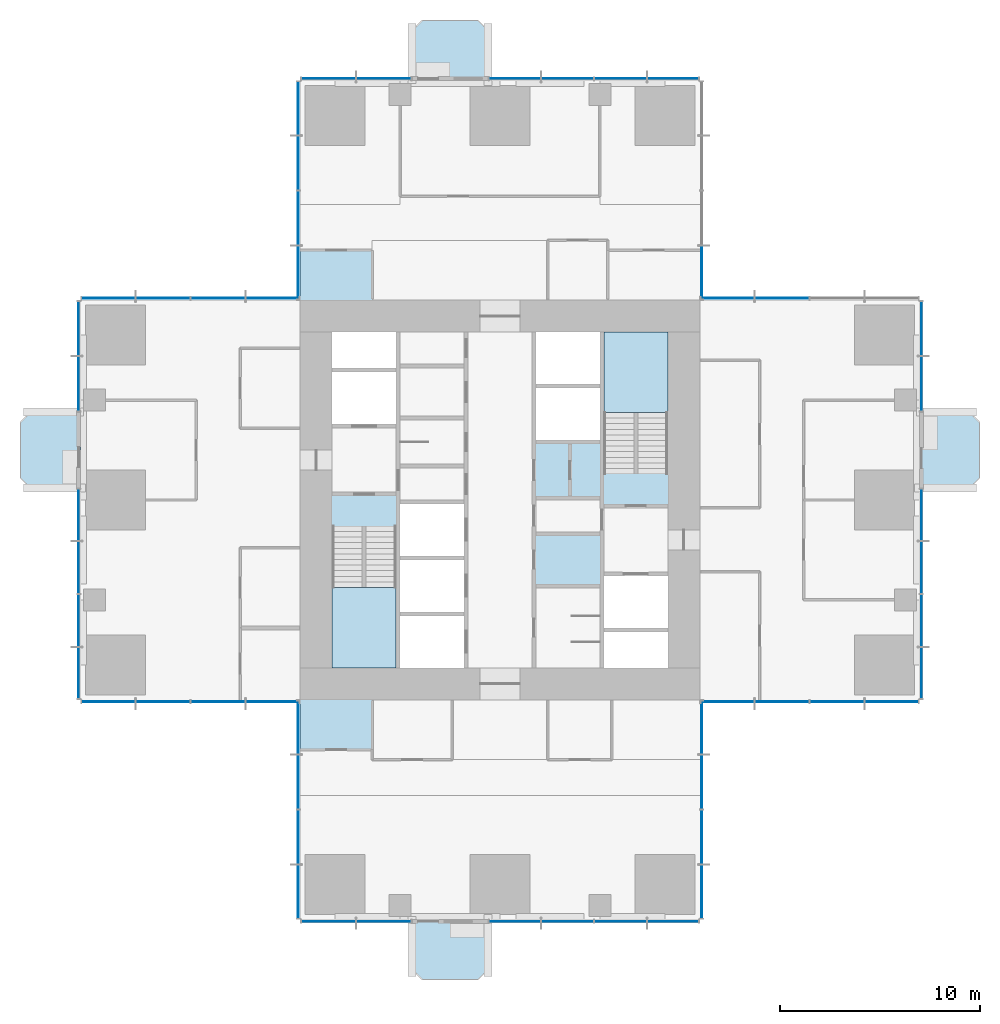
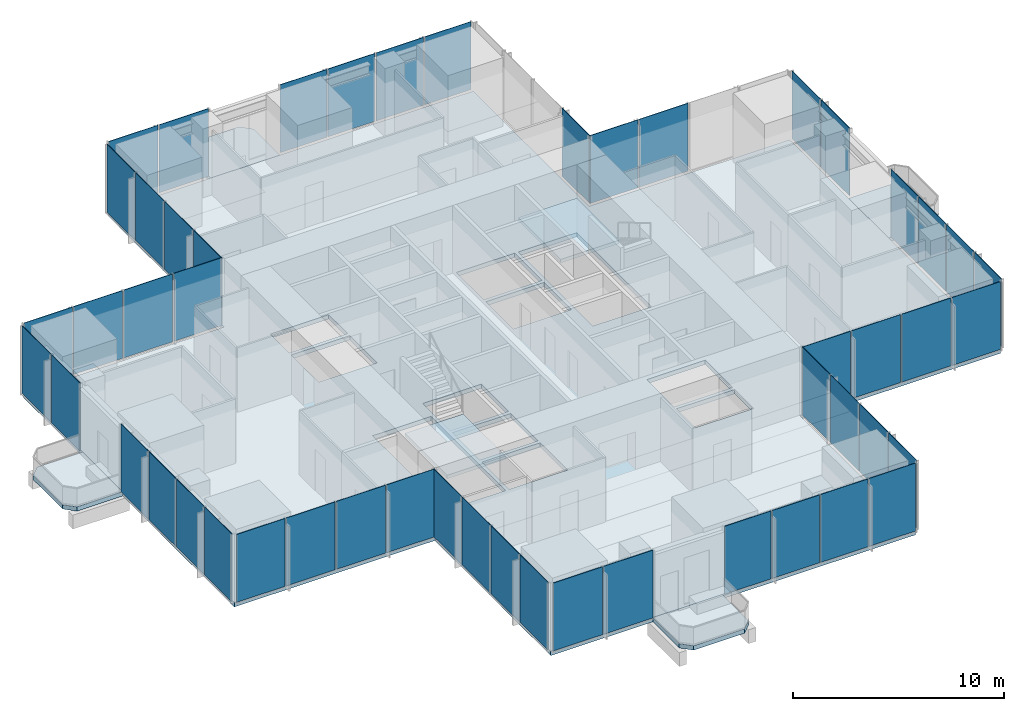
# One storey, part 7 of 13: 51 plates, 7 slabs, 18 elements without a shape of their own.
"""IFC4 building model written with IfcOpenShell, lengths in metres."""

from ifc_helpers import new_model, si_unit, direction, frame, origin, origin_2d, place, context, subcontext, project, spatial, polyline, rectangle, outline, extrude, material, layer, layer_set, type_object, element, aggregate, save


model = new_model("IFC4")

# Units and contexts
model_context = context("Model", 3, precision=1e-05, world=origin(), true_north=direction((0.0, 1.0)))
body_context = subcontext(model_context, "Body", "Model", "MODEL_VIEW")
ifc_project = project(units=[si_unit("LENGTHUNIT", "METRE"), si_unit("AREAUNIT", "SQUARE_METRE"), si_unit("VOLUMEUNIT", "CUBIC_METRE"), si_unit("PLANEANGLEUNIT", "RADIAN"), si_unit("MASSUNIT", "GRAM", prefix="KILO")], contexts=[model_context])

# Site, building, storey
site_placement = place(None, origin())
site = spatial("IfcSite", under=ifc_project, at=site_placement, CompositionType="ELEMENT")
building_placement = place(site_placement, origin())
building = spatial("IfcBuilding", under=site, at=building_placement, Name="Svetlomir Tower", CompositionType="ELEMENT")
storey_placement = place(building_placement, frame((0.0, 0.0, 140.5)))
storey = spatial("IfcBuildingStorey", under=building, at=storey_placement, Name="L33", CompositionType="ELEMENT", Elevation=140.5)

# Slabs
ifc_material_1 = material(Name="Concrete C60/75", Category="concrete")
ifc_layer_1 = layer(ifc_material_1, 0.25)
ifc_layer_set_1 = layer_set([ifc_layer_1], Name="Concrete C60/75")
slab_type_1 = type_object("IfcSlabType", Name="BALCONY SLAB 250", PredefinedType="FLOOR", material=ifc_layer_set_1)
slab_1_placement = place(storey_placement, frame((0.0, 0.0, -0.25)))
element("IfcSlab", 1, at=slab_1_placement, inside=storey, type_object=slab_type_1, Name="L33 S planted balcony", PredefinedType="FLOOR", context=body_context, shape_type="SweptSolid", body=[
    extrude(outline(polyline([(16.60009765625, -2.5), (17.10009765625, -3.0), (19.89990234375, -3.0), (20.39990234375, -2.5), (20.39990234375, 0.0), (16.60009765625, 0.0), (16.60009765625, -2.5)])), origin(), (0.0, 0.0, 1.0), 0.25),
])
slab_2_placement = place(storey_placement, frame((0.0, 0.0, -0.25)))
element("IfcSlab", 2, at=slab_2_placement, inside=storey, type_object=slab_type_1, Name="L33 E planted balcony", PredefinedType="FLOOR", context=body_context, shape_type="SweptSolid", body=[
    extrude(outline(polyline([(42.0, 21.60009765625), (44.5, 21.60009765625), (45.0, 22.10009765625), (45.0, 24.89990234375), (44.5, 25.39990234375), (42.0, 25.39990234375), (42.0, 21.60009765625)])), origin(), (0.0, 0.0, 1.0), 0.25),
])
slab_3_placement = place(storey_placement, frame((0.0, 0.0, -0.25)))
element("IfcSlab", 3, at=slab_3_placement, inside=storey, type_object=slab_type_1, Name="L33 N planted balcony", PredefinedType="FLOOR", context=body_context, shape_type="SweptSolid", body=[
    extrude(outline(polyline([(16.60009765625, 42.0), (20.39990234375, 42.0), (20.39990234375, 44.5), (19.89990234375, 45.0), (17.10009765625, 45.0), (16.60009765625, 44.5), (16.60009765625, 42.0)])), origin(), (0.0, 0.0, 1.0), 0.25),
])
slab_4_placement = place(storey_placement, frame((0.0, 0.0, -0.25)))
element("IfcSlab", 4, at=slab_4_placement, inside=storey, type_object=slab_type_1, Name="L33 W planted balcony", PredefinedType="FLOOR", context=body_context, shape_type="SweptSolid", body=[
    extrude(outline(polyline([(-2.5, 21.60009765625), (0.0, 21.60009765625), (0.0, 25.39990234375), (-2.5, 25.39990234375), (-3.0, 24.89990234375), (-3.0, 22.10009765625), (-2.5, 21.60009765625)])), origin(), (0.0, 0.0, 1.0), 0.25),
])

# Curtain wall, plates
ifc_material_2 = material(Name="Bronze anodised aluminium curtain wall", Category="aluminium")
curtain_wall_type = type_object("IfcCurtainWallType", Name="CURTAIN WALL CW1 TOWER OFFICE", PredefinedType="NOTDEFINED", material=ifc_material_2)
curtain_wall_1_placement = place(storey_placement, origin())
curtain_wall_1 = element("IfcCurtainWall", 5, at=curtain_wall_1_placement, inside=storey, type_object=curtain_wall_type, Name="Curtain wall CW1 L33", PredefinedType="NOTDEFINED")
ifc_material_3 = material(Name="Tinted double glazed unit", Category="glass")
ifc_layer_2 = layer(ifc_material_3, 0.031982421875)
ifc_layer_set_2 = layer_set([ifc_layer_2], Name="Tinted double glazed unit")
plate_type = type_object("IfcPlateType", Name="CW1 GLAZED PANEL 32", PredefinedType="CURTAIN_PANEL", material=ifc_layer_set_2)
plate_1_placement = place(storey_placement, frame((12.416259765625, -0.10009765625, 0.06494140625), z_axis=(0.0, 0.0, 1.0), x_axis=(1.0, 0.0, 0.0)))
plate_1 = element("IfcPlate", 6, at=plate_1_placement, type_object=plate_type, Name="CW1 panel 1.1", PredefinedType="CURTAIN_PANEL", context=body_context, shape_type="SweptSolid", body=[
    extrude(rectangle(XDim=2.702392578125, YDim=0.031982421875, at=origin_2d()), origin(), (0.0, 0.0, 1.0), 3.93505859375),
])
plate_2_placement = place(storey_placement, frame((15.183837890625, -0.10009765625, 0.06494140625), z_axis=(0.0, 0.0, 1.0), x_axis=(1.0, 0.0, 0.0)))
plate_2 = element("IfcPlate", 7, at=plate_2_placement, type_object=plate_type, Name="CW1 panel 2.1", PredefinedType="CURTAIN_PANEL", context=body_context, shape_type="SweptSolid", body=[
    extrude(rectangle(XDim=2.702392578125, YDim=0.031982421875, at=origin_2d()), origin(), (0.0, 0.0, 1.0), 3.93505859375),
])
aggregate(curtain_wall_1, [plate_1, plate_2])

curtain_wall_2_placement = place(storey_placement, origin())
curtain_wall_2 = element("IfcCurtainWall", 8, at=curtain_wall_2_placement, inside=storey, type_object=curtain_wall_type, Name="Curtain wall CW1 L33", PredefinedType="NOTDEFINED")
plate_3_placement = place(storey_placement, frame((21.7412109375, -0.10009765625, 0.06494140625), z_axis=(0.0, 0.0, 1.0), x_axis=(1.0, 0.0, 0.0)))
plate_3 = element("IfcPlate", 9, at=plate_3_placement, type_object=plate_type, Name="CW1 panel 1.1", PredefinedType="CURTAIN_PANEL", context=body_context, shape_type="SweptSolid", body=[
    extrude(rectangle(XDim=2.552490234375, YDim=0.031982421875, at=origin_2d()), origin(), (0.0, 0.0, 1.0), 3.93505859375),
])
plate_4_placement = place(storey_placement, frame((24.375, -0.10009765625, 0.06494140625), z_axis=(0.0, 0.0, 1.0), x_axis=(1.0, 0.0, 0.0)))
plate_4 = element("IfcPlate", 10, at=plate_4_placement, type_object=plate_type, Name="CW1 panel 2.1", PredefinedType="CURTAIN_PANEL", context=body_context, shape_type="SweptSolid", body=[
    extrude(rectangle(XDim=2.5849609375, YDim=0.031982421875, at=origin_2d()), origin(), (0.0, 0.0, 1.0), 3.93505859375),
])
plate_5_placement = place(storey_placement, frame((27.02490234375, -0.10009765625, 0.06494140625), z_axis=(0.0, 0.0, 1.0), x_axis=(1.0, 0.0, 0.0)))
plate_5 = element("IfcPlate", 11, at=plate_5_placement, type_object=plate_type, Name="CW1 panel 3.1", PredefinedType="CURTAIN_PANEL", context=body_context, shape_type="SweptSolid", body=[
    extrude(rectangle(XDim=2.5849609375, YDim=0.031982421875, at=origin_2d()), origin(), (0.0, 0.0, 1.0), 3.93505859375),
])
plate_6_placement = place(storey_placement, frame((29.65869140625, -0.10009765625, 0.06494140625), z_axis=(0.0, 0.0, 1.0), x_axis=(1.0, 0.0, 0.0)))
plate_6 = element("IfcPlate", 12, at=plate_6_placement, type_object=plate_type, Name="CW1 panel 4.1", PredefinedType="CURTAIN_PANEL", context=body_context, shape_type="SweptSolid", body=[
    extrude(rectangle(XDim=2.552490234375, YDim=0.031982421875, at=origin_2d()), origin(), (0.0, 0.0, 1.0), 3.93505859375),
])
aggregate(curtain_wall_2, [plate_3, plate_4, plate_5, plate_6])

curtain_wall_3_placement = place(storey_placement, origin())
curtain_wall_3 = element("IfcCurtainWall", 13, at=curtain_wall_3_placement, inside=storey, type_object=curtain_wall_type, Name="Curtain wall CW1 L33", PredefinedType="NOTDEFINED")
plate_7_placement = place(storey_placement, frame((31.10009765625, 1.391357421875, 0.06494140625), z_axis=(0.0, 0.0, 1.0), x_axis=(0.0, 1.0, 0.0)))
plate_7 = element("IfcPlate", 14, at=plate_7_placement, type_object=plate_type, Name="CW1 panel 1.1", PredefinedType="CURTAIN_PANEL", context=body_context, shape_type="SweptSolid", body=[
    extrude(rectangle(XDim=2.652587890625, YDim=0.031982421875, at=origin_2d()), origin(), (0.0, 0.0, 1.0), 3.93505859375),
])
plate_8_placement = place(storey_placement, frame((31.10009765625, 4.125, 0.06494140625), z_axis=(0.0, 0.0, 1.0), x_axis=(0.0, 1.0, 0.0)))
plate_8 = element("IfcPlate", 15, at=plate_8_placement, type_object=plate_type, Name="CW1 panel 2.1", PredefinedType="CURTAIN_PANEL", context=body_context, shape_type="SweptSolid", body=[
    extrude(rectangle(XDim=2.68505859375, YDim=0.031982421875, at=origin_2d()), origin(), (0.0, 0.0, 1.0), 3.93505859375),
])
plate_9_placement = place(storey_placement, frame((31.10009765625, 6.875, 0.06494140625), z_axis=(0.0, 0.0, 1.0), x_axis=(0.0, 1.0, 0.0)))
plate_9 = element("IfcPlate", 16, at=plate_9_placement, type_object=plate_type, Name="CW1 panel 3.1", PredefinedType="CURTAIN_PANEL", context=body_context, shape_type="SweptSolid", body=[
    extrude(rectangle(XDim=2.68505859375, YDim=0.031982421875, at=origin_2d()), origin(), (0.0, 0.0, 1.0), 3.93505859375),
])
plate_10_placement = place(storey_placement, frame((31.10009765625, 9.608642578125, 0.06494140625), z_axis=(0.0, 0.0, 1.0), x_axis=(0.0, 1.0, 0.0)))
plate_10 = element("IfcPlate", 17, at=plate_10_placement, type_object=plate_type, Name="CW1 panel 4.1", PredefinedType="CURTAIN_PANEL", context=body_context, shape_type="SweptSolid", body=[
    extrude(rectangle(XDim=2.652587890625, YDim=0.031982421875, at=origin_2d()), origin(), (0.0, 0.0, 1.0), 3.93505859375),
])
aggregate(curtain_wall_3, [plate_7, plate_8, plate_9, plate_10])

curtain_wall_4_placement = place(storey_placement, origin())
curtain_wall_4 = element("IfcCurtainWall", 18, at=curtain_wall_4_placement, inside=storey, type_object=curtain_wall_type, Name="Curtain wall CW1 L33", PredefinedType="NOTDEFINED")
plate_11_placement = place(storey_placement, frame((32.391357421875, 10.89990234375, 0.06494140625), z_axis=(0.0, 0.0, 1.0), x_axis=(1.0, 0.0, 0.0)))
plate_11 = element("IfcPlate", 19, at=plate_11_placement, type_object=plate_type, Name="CW1 panel 1.1", PredefinedType="CURTAIN_PANEL", context=body_context, shape_type="SweptSolid", body=[
    extrude(rectangle(XDim=2.652587890625, YDim=0.031982421875, at=origin_2d()), origin(), (0.0, 0.0, 1.0), 3.93505859375),
])
plate_12_placement = place(storey_placement, frame((35.125, 10.89990234375, 0.06494140625), z_axis=(0.0, 0.0, 1.0), x_axis=(1.0, 0.0, 0.0)))
plate_12 = element("IfcPlate", 20, at=plate_12_placement, type_object=plate_type, Name="CW1 panel 2.1", PredefinedType="CURTAIN_PANEL", context=body_context, shape_type="SweptSolid", body=[
    extrude(rectangle(XDim=2.68505859375, YDim=0.031982421875, at=origin_2d()), origin(), (0.0, 0.0, 1.0), 3.93505859375),
])
plate_13_placement = place(storey_placement, frame((37.875, 10.89990234375, 0.06494140625), z_axis=(0.0, 0.0, 1.0), x_axis=(1.0, 0.0, 0.0)))
plate_13 = element("IfcPlate", 21, at=plate_13_placement, type_object=plate_type, Name="CW1 panel 3.1", PredefinedType="CURTAIN_PANEL", context=body_context, shape_type="SweptSolid", body=[
    extrude(rectangle(XDim=2.68505859375, YDim=0.031982421875, at=origin_2d()), origin(), (0.0, 0.0, 1.0), 3.93505859375),
])
plate_14_placement = place(storey_placement, frame((40.608642578125, 10.89990234375, 0.06494140625), z_axis=(0.0, 0.0, 1.0), x_axis=(1.0, 0.0, 0.0)))
plate_14 = element("IfcPlate", 22, at=plate_14_placement, type_object=plate_type, Name="CW1 panel 4.1", PredefinedType="CURTAIN_PANEL", context=body_context, shape_type="SweptSolid", body=[
    extrude(rectangle(XDim=2.652587890625, YDim=0.031982421875, at=origin_2d()), origin(), (0.0, 0.0, 1.0), 3.93505859375),
])
aggregate(curtain_wall_4, [plate_11, plate_12, plate_13, plate_14])

curtain_wall_5_placement = place(storey_placement, origin())
curtain_wall_5 = element("IfcCurtainWall", 23, at=curtain_wall_5_placement, inside=storey, type_object=curtain_wall_type, Name="Curtain wall CW1 L33", PredefinedType="NOTDEFINED")
plate_15_placement = place(storey_placement, frame((42.10009765625, 12.34130859375, 0.06494140625), z_axis=(0.0, 0.0, 1.0), x_axis=(0.0, 1.0, 0.0)))
plate_15 = element("IfcPlate", 24, at=plate_15_placement, type_object=plate_type, Name="CW1 panel 1.1", PredefinedType="CURTAIN_PANEL", context=body_context, shape_type="SweptSolid", body=[
    extrude(rectangle(XDim=2.552490234375, YDim=0.031982421875, at=origin_2d()), origin(), (0.0, 0.0, 1.0), 3.93505859375),
])
plate_16_placement = place(storey_placement, frame((42.10009765625, 14.97509765625, 0.06494140625), z_axis=(0.0, 0.0, 1.0), x_axis=(0.0, 1.0, 0.0)))
plate_16 = element("IfcPlate", 25, at=plate_16_placement, type_object=plate_type, Name="CW1 panel 2.1", PredefinedType="CURTAIN_PANEL", context=body_context, shape_type="SweptSolid", body=[
    extrude(rectangle(XDim=2.5849609375, YDim=0.031982421875, at=origin_2d()), origin(), (0.0, 0.0, 1.0), 3.93505859375),
])
plate_17_placement = place(storey_placement, frame((42.10009765625, 17.625, 0.06494140625), z_axis=(0.0, 0.0, 1.0), x_axis=(0.0, 1.0, 0.0)))
plate_17 = element("IfcPlate", 26, at=plate_17_placement, type_object=plate_type, Name="CW1 panel 3.1", PredefinedType="CURTAIN_PANEL", context=body_context, shape_type="SweptSolid", body=[
    extrude(rectangle(XDim=2.5849609375, YDim=0.031982421875, at=origin_2d()), origin(), (0.0, 0.0, 1.0), 3.93505859375),
])
plate_18_placement = place(storey_placement, frame((42.10009765625, 20.2587890625, 0.06494140625), z_axis=(0.0, 0.0, 1.0), x_axis=(0.0, 1.0, 0.0)))
plate_18 = element("IfcPlate", 27, at=plate_18_placement, type_object=plate_type, Name="CW1 panel 4.1", PredefinedType="CURTAIN_PANEL", context=body_context, shape_type="SweptSolid", body=[
    extrude(rectangle(XDim=2.552490234375, YDim=0.031982421875, at=origin_2d()), origin(), (0.0, 0.0, 1.0), 3.93505859375),
])
aggregate(curtain_wall_5, [plate_15, plate_16, plate_17, plate_18])

curtain_wall_6_placement = place(storey_placement, origin())
curtain_wall_6 = element("IfcCurtainWall", 28, at=curtain_wall_6_placement, inside=storey, type_object=curtain_wall_type, Name="Curtain wall CW1 L33", PredefinedType="NOTDEFINED")
plate_19_placement = place(storey_placement, frame((42.10009765625, 26.816162109375, 0.06494140625), z_axis=(0.0, 0.0, 1.0), x_axis=(0.0, 1.0, 0.0)))
plate_19 = element("IfcPlate", 29, at=plate_19_placement, type_object=plate_type, Name="CW1 panel 1.1", PredefinedType="CURTAIN_PANEL", context=body_context, shape_type="SweptSolid", body=[
    extrude(rectangle(XDim=2.702392578125, YDim=0.031982421875, at=origin_2d()), origin(), (0.0, 0.0, 1.0), 3.93505859375),
])
plate_20_placement = place(storey_placement, frame((42.10009765625, 29.583740234375, 0.06494140625), z_axis=(0.0, 0.0, 1.0), x_axis=(0.0, 1.0, 0.0)))
plate_20 = element("IfcPlate", 30, at=plate_20_placement, type_object=plate_type, Name="CW1 panel 2.1", PredefinedType="CURTAIN_PANEL", context=body_context, shape_type="SweptSolid", body=[
    extrude(rectangle(XDim=2.702392578125, YDim=0.031982421875, at=origin_2d()), origin(), (0.0, 0.0, 1.0), 3.93505859375),
])
aggregate(curtain_wall_6, [plate_19, plate_20])

curtain_wall_7_placement = place(storey_placement, origin())
curtain_wall_7 = element("IfcCurtainWall", 31, at=curtain_wall_7_placement, inside=storey, type_object=curtain_wall_type, Name="Curtain wall CW1 L33", PredefinedType="NOTDEFINED")
plate_21_placement = place(storey_placement, frame((35.125, 31.10009765625, 0.06494140625), z_axis=(0.0, 0.0, 1.0), x_axis=(-1.0, 0.0, 0.0)))
plate_21 = element("IfcPlate", 32, at=plate_21_placement, type_object=plate_type, Name="CW1 panel 3.1", PredefinedType="CURTAIN_PANEL", context=body_context, shape_type="SweptSolid", body=[
    extrude(rectangle(XDim=2.68505859375, YDim=0.031982421875, at=origin_2d()), origin(), (0.0, 0.0, 1.0), 3.93505859375),
])
plate_22_placement = place(storey_placement, frame((32.391357421875, 31.10009765625, 0.06494140625), z_axis=(0.0, 0.0, 1.0), x_axis=(-1.0, 0.0, 0.0)))
plate_22 = element("IfcPlate", 33, at=plate_22_placement, type_object=plate_type, Name="CW1 panel 4.1", PredefinedType="CURTAIN_PANEL", context=body_context, shape_type="SweptSolid", body=[
    extrude(rectangle(XDim=2.652587890625, YDim=0.031982421875, at=origin_2d()), origin(), (0.0, 0.0, 1.0), 3.93505859375),
])
aggregate(curtain_wall_7, [plate_21, plate_22])

# Curtain wall, plate
curtain_wall_8_placement = place(storey_placement, origin())
curtain_wall_8 = element("IfcCurtainWall", 34, at=curtain_wall_8_placement, inside=storey, type_object=curtain_wall_type, Name="Curtain wall CW1 L33", PredefinedType="NOTDEFINED")
plate_23_placement = place(storey_placement, frame((31.10009765625, 32.391357421875, 0.06494140625), z_axis=(0.0, 0.0, 1.0), x_axis=(0.0, 1.0, 0.0)))
plate_23 = element("IfcPlate", 35, at=plate_23_placement, type_object=plate_type, Name="CW1 panel 1.1", PredefinedType="CURTAIN_PANEL", context=body_context, shape_type="SweptSolid", body=[
    extrude(rectangle(XDim=2.652587890625, YDim=0.031982421875, at=origin_2d()), origin(), (0.0, 0.0, 1.0), 3.93505859375),
])
aggregate(curtain_wall_8, [plate_23])

# Curtain wall, plates
curtain_wall_9_placement = place(storey_placement, origin())
curtain_wall_9 = element("IfcCurtainWall", 36, at=curtain_wall_9_placement, inside=storey, type_object=curtain_wall_type, Name="Curtain wall CW1 L33", PredefinedType="NOTDEFINED")
plate_24_placement = place(storey_placement, frame((29.65869140625, 42.10009765625, 0.06494140625), z_axis=(0.0, 0.0, 1.0), x_axis=(-1.0, 0.0, 0.0)))
plate_24 = element("IfcPlate", 37, at=plate_24_placement, type_object=plate_type, Name="CW1 panel 1.1", PredefinedType="CURTAIN_PANEL", context=body_context, shape_type="SweptSolid", body=[
    extrude(rectangle(XDim=2.552490234375, YDim=0.031982421875, at=origin_2d()), origin(), (0.0, 0.0, 1.0), 3.93505859375),
])
plate_25_placement = place(storey_placement, frame((27.02490234375, 42.10009765625, 0.06494140625), z_axis=(0.0, 0.0, 1.0), x_axis=(-1.0, 0.0, 0.0)))
plate_25 = element("IfcPlate", 38, at=plate_25_placement, type_object=plate_type, Name="CW1 panel 2.1", PredefinedType="CURTAIN_PANEL", context=body_context, shape_type="SweptSolid", body=[
    extrude(rectangle(XDim=2.5849609375, YDim=0.031982421875, at=origin_2d()), origin(), (0.0, 0.0, 1.0), 3.93505859375),
])
plate_26_placement = place(storey_placement, frame((24.375, 42.10009765625, 0.06494140625), z_axis=(0.0, 0.0, 1.0), x_axis=(-1.0, 0.0, 0.0)))
plate_26 = element("IfcPlate", 39, at=plate_26_placement, type_object=plate_type, Name="CW1 panel 3.1", PredefinedType="CURTAIN_PANEL", context=body_context, shape_type="SweptSolid", body=[
    extrude(rectangle(XDim=2.5849609375, YDim=0.031982421875, at=origin_2d()), origin(), (0.0, 0.0, 1.0), 3.93505859375),
])
plate_27_placement = place(storey_placement, frame((21.7412109375, 42.10009765625, 0.06494140625), z_axis=(0.0, 0.0, 1.0), x_axis=(-1.0, 0.0, 0.0)))
plate_27 = element("IfcPlate", 40, at=plate_27_placement, type_object=plate_type, Name="CW1 panel 4.1", PredefinedType="CURTAIN_PANEL", context=body_context, shape_type="SweptSolid", body=[
    extrude(rectangle(XDim=2.552490234375, YDim=0.031982421875, at=origin_2d()), origin(), (0.0, 0.0, 1.0), 3.93505859375),
])
aggregate(curtain_wall_9, [plate_24, plate_25, plate_26, plate_27])

curtain_wall_10_placement = place(storey_placement, origin())
curtain_wall_10 = element("IfcCurtainWall", 41, at=curtain_wall_10_placement, inside=storey, type_object=curtain_wall_type, Name="Curtain wall CW1 L33", PredefinedType="NOTDEFINED")
plate_28_placement = place(storey_placement, frame((15.183837890625, 42.10009765625, 0.06494140625), z_axis=(0.0, 0.0, 1.0), x_axis=(-1.0, 0.0, 0.0)))
plate_28 = element("IfcPlate", 42, at=plate_28_placement, type_object=plate_type, Name="CW1 panel 1.1", PredefinedType="CURTAIN_PANEL", context=body_context, shape_type="SweptSolid", body=[
    extrude(rectangle(XDim=2.702392578125, YDim=0.031982421875, at=origin_2d()), origin(), (0.0, 0.0, 1.0), 3.93505859375),
])
plate_29_placement = place(storey_placement, frame((12.416259765625, 42.10009765625, 0.06494140625), z_axis=(0.0, 0.0, 1.0), x_axis=(-1.0, 0.0, 0.0)))
plate_29 = element("IfcPlate", 43, at=plate_29_placement, type_object=plate_type, Name="CW1 panel 2.1", PredefinedType="CURTAIN_PANEL", context=body_context, shape_type="SweptSolid", body=[
    extrude(rectangle(XDim=2.702392578125, YDim=0.031982421875, at=origin_2d()), origin(), (0.0, 0.0, 1.0), 3.93505859375),
])
aggregate(curtain_wall_10, [plate_28, plate_29])

curtain_wall_11_placement = place(storey_placement, origin())
curtain_wall_11 = element("IfcCurtainWall", 44, at=curtain_wall_11_placement, inside=storey, type_object=curtain_wall_type, Name="Curtain wall CW1 L33", PredefinedType="NOTDEFINED")
plate_30_placement = place(storey_placement, frame((10.89990234375, 40.608642578125, 0.06494140625), z_axis=(0.0, 0.0, 1.0), x_axis=(0.0, -1.0, 0.0)))
plate_30 = element("IfcPlate", 45, at=plate_30_placement, type_object=plate_type, Name="CW1 panel 1.1", PredefinedType="CURTAIN_PANEL", context=body_context, shape_type="SweptSolid", body=[
    extrude(rectangle(XDim=2.652587890625, YDim=0.031982421875, at=origin_2d()), origin(), (0.0, 0.0, 1.0), 3.93505859375),
])
plate_31_placement = place(storey_placement, frame((10.89990234375, 37.875, 0.06494140625), z_axis=(0.0, 0.0, 1.0), x_axis=(0.0, -1.0, 0.0)))
plate_31 = element("IfcPlate", 46, at=plate_31_placement, type_object=plate_type, Name="CW1 panel 2.1", PredefinedType="CURTAIN_PANEL", context=body_context, shape_type="SweptSolid", body=[
    extrude(rectangle(XDim=2.68505859375, YDim=0.031982421875, at=origin_2d()), origin(), (0.0, 0.0, 1.0), 3.93505859375),
])
plate_32_placement = place(storey_placement, frame((10.89990234375, 35.125, 0.06494140625), z_axis=(0.0, 0.0, 1.0), x_axis=(0.0, -1.0, 0.0)))
plate_32 = element("IfcPlate", 47, at=plate_32_placement, type_object=plate_type, Name="CW1 panel 3.1", PredefinedType="CURTAIN_PANEL", context=body_context, shape_type="SweptSolid", body=[
    extrude(rectangle(XDim=2.68505859375, YDim=0.031982421875, at=origin_2d()), origin(), (0.0, 0.0, 1.0), 3.93505859375),
])
plate_33_placement = place(storey_placement, frame((10.89990234375, 32.391357421875, 0.06494140625), z_axis=(0.0, 0.0, 1.0), x_axis=(0.0, -1.0, 0.0)))
plate_33 = element("IfcPlate", 48, at=plate_33_placement, type_object=plate_type, Name="CW1 panel 4.1", PredefinedType="CURTAIN_PANEL", context=body_context, shape_type="SweptSolid", body=[
    extrude(rectangle(XDim=2.652587890625, YDim=0.031982421875, at=origin_2d()), origin(), (0.0, 0.0, 1.0), 3.93505859375),
])
aggregate(curtain_wall_11, [plate_30, plate_31, plate_32, plate_33])

curtain_wall_12_placement = place(storey_placement, origin())
curtain_wall_12 = element("IfcCurtainWall", 49, at=curtain_wall_12_placement, inside=storey, type_object=curtain_wall_type, Name="Curtain wall CW1 L33", PredefinedType="NOTDEFINED")
plate_34_placement = place(storey_placement, frame((9.608642578125, 31.10009765625, 0.06494140625), z_axis=(0.0, 0.0, 1.0), x_axis=(-1.0, 0.0, 0.0)))
plate_34 = element("IfcPlate", 50, at=plate_34_placement, type_object=plate_type, Name="CW1 panel 1.1", PredefinedType="CURTAIN_PANEL", context=body_context, shape_type="SweptSolid", body=[
    extrude(rectangle(XDim=2.652587890625, YDim=0.031982421875, at=origin_2d()), origin(), (0.0, 0.0, 1.0), 3.93505859375),
])
plate_35_placement = place(storey_placement, frame((6.875, 31.10009765625, 0.06494140625), z_axis=(0.0, 0.0, 1.0), x_axis=(-1.0, 0.0, 0.0)))
plate_35 = element("IfcPlate", 51, at=plate_35_placement, type_object=plate_type, Name="CW1 panel 2.1", PredefinedType="CURTAIN_PANEL", context=body_context, shape_type="SweptSolid", body=[
    extrude(rectangle(XDim=2.68505859375, YDim=0.031982421875, at=origin_2d()), origin(), (0.0, 0.0, 1.0), 3.93505859375),
])
plate_36_placement = place(storey_placement, frame((4.125, 31.10009765625, 0.06494140625), z_axis=(0.0, 0.0, 1.0), x_axis=(-1.0, 0.0, 0.0)))
plate_36 = element("IfcPlate", 52, at=plate_36_placement, type_object=plate_type, Name="CW1 panel 3.1", PredefinedType="CURTAIN_PANEL", context=body_context, shape_type="SweptSolid", body=[
    extrude(rectangle(XDim=2.68505859375, YDim=0.031982421875, at=origin_2d()), origin(), (0.0, 0.0, 1.0), 3.93505859375),
])
plate_37_placement = place(storey_placement, frame((1.391357421875, 31.10009765625, 0.06494140625), z_axis=(0.0, 0.0, 1.0), x_axis=(-1.0, 0.0, 0.0)))
plate_37 = element("IfcPlate", 53, at=plate_37_placement, type_object=plate_type, Name="CW1 panel 4.1", PredefinedType="CURTAIN_PANEL", context=body_context, shape_type="SweptSolid", body=[
    extrude(rectangle(XDim=2.652587890625, YDim=0.031982421875, at=origin_2d()), origin(), (0.0, 0.0, 1.0), 3.93505859375),
])
aggregate(curtain_wall_12, [plate_34, plate_35, plate_36, plate_37])

curtain_wall_13_placement = place(storey_placement, origin())
curtain_wall_13 = element("IfcCurtainWall", 54, at=curtain_wall_13_placement, inside=storey, type_object=curtain_wall_type, Name="Curtain wall CW1 L33", PredefinedType="NOTDEFINED")
plate_38_placement = place(storey_placement, frame((-0.10009765625, 29.583740234375, 0.06494140625), z_axis=(0.0, 0.0, 1.0), x_axis=(0.0, -1.0, 0.0)))
plate_38 = element("IfcPlate", 55, at=plate_38_placement, type_object=plate_type, Name="CW1 panel 1.1", PredefinedType="CURTAIN_PANEL", context=body_context, shape_type="SweptSolid", body=[
    extrude(rectangle(XDim=2.702392578125, YDim=0.031982421875, at=origin_2d()), origin(), (0.0, 0.0, 1.0), 3.93505859375),
])
plate_39_placement = place(storey_placement, frame((-0.10009765625, 26.816162109375, 0.06494140625), z_axis=(0.0, 0.0, 1.0), x_axis=(0.0, -1.0, 0.0)))
plate_39 = element("IfcPlate", 56, at=plate_39_placement, type_object=plate_type, Name="CW1 panel 2.1", PredefinedType="CURTAIN_PANEL", context=body_context, shape_type="SweptSolid", body=[
    extrude(rectangle(XDim=2.702392578125, YDim=0.031982421875, at=origin_2d()), origin(), (0.0, 0.0, 1.0), 3.93505859375),
])
aggregate(curtain_wall_13, [plate_38, plate_39])

curtain_wall_14_placement = place(storey_placement, origin())
curtain_wall_14 = element("IfcCurtainWall", 57, at=curtain_wall_14_placement, inside=storey, type_object=curtain_wall_type, Name="Curtain wall CW1 L33", PredefinedType="NOTDEFINED")
plate_40_placement = place(storey_placement, frame((-0.10009765625, 20.2587890625, 0.06494140625), z_axis=(0.0, 0.0, 1.0), x_axis=(0.0, -1.0, 0.0)))
plate_40 = element("IfcPlate", 58, at=plate_40_placement, type_object=plate_type, Name="CW1 panel 1.1", PredefinedType="CURTAIN_PANEL", context=body_context, shape_type="SweptSolid", body=[
    extrude(rectangle(XDim=2.552490234375, YDim=0.031982421875, at=origin_2d()), origin(), (0.0, 0.0, 1.0), 3.93505859375),
])
plate_41_placement = place(storey_placement, frame((-0.10009765625, 17.625, 0.06494140625), z_axis=(0.0, 0.0, 1.0), x_axis=(0.0, -1.0, 0.0)))
plate_41 = element("IfcPlate", 59, at=plate_41_placement, type_object=plate_type, Name="CW1 panel 2.1", PredefinedType="CURTAIN_PANEL", context=body_context, shape_type="SweptSolid", body=[
    extrude(rectangle(XDim=2.5849609375, YDim=0.031982421875, at=origin_2d()), origin(), (0.0, 0.0, 1.0), 3.93505859375),
])
plate_42_placement = place(storey_placement, frame((-0.10009765625, 14.97509765625, 0.06494140625), z_axis=(0.0, 0.0, 1.0), x_axis=(0.0, -1.0, 0.0)))
plate_42 = element("IfcPlate", 60, at=plate_42_placement, type_object=plate_type, Name="CW1 panel 3.1", PredefinedType="CURTAIN_PANEL", context=body_context, shape_type="SweptSolid", body=[
    extrude(rectangle(XDim=2.5849609375, YDim=0.031982421875, at=origin_2d()), origin(), (0.0, 0.0, 1.0), 3.93505859375),
])
plate_43_placement = place(storey_placement, frame((-0.10009765625, 12.34130859375, 0.06494140625), z_axis=(0.0, 0.0, 1.0), x_axis=(0.0, -1.0, 0.0)))
plate_43 = element("IfcPlate", 61, at=plate_43_placement, type_object=plate_type, Name="CW1 panel 4.1", PredefinedType="CURTAIN_PANEL", context=body_context, shape_type="SweptSolid", body=[
    extrude(rectangle(XDim=2.552490234375, YDim=0.031982421875, at=origin_2d()), origin(), (0.0, 0.0, 1.0), 3.93505859375),
])
aggregate(curtain_wall_14, [plate_40, plate_41, plate_42, plate_43])

curtain_wall_15_placement = place(storey_placement, origin())
curtain_wall_15 = element("IfcCurtainWall", 62, at=curtain_wall_15_placement, inside=storey, type_object=curtain_wall_type, Name="Curtain wall CW1 L33", PredefinedType="NOTDEFINED")
plate_44_placement = place(storey_placement, frame((1.391357421875, 10.89990234375, 0.06494140625), z_axis=(0.0, 0.0, 1.0), x_axis=(1.0, 0.0, 0.0)))
plate_44 = element("IfcPlate", 63, at=plate_44_placement, type_object=plate_type, Name="CW1 panel 1.1", PredefinedType="CURTAIN_PANEL", context=body_context, shape_type="SweptSolid", body=[
    extrude(rectangle(XDim=2.652587890625, YDim=0.031982421875, at=origin_2d()), origin(), (0.0, 0.0, 1.0), 3.93505859375),
])
plate_45_placement = place(storey_placement, frame((4.125, 10.89990234375, 0.06494140625), z_axis=(0.0, 0.0, 1.0), x_axis=(1.0, 0.0, 0.0)))
plate_45 = element("IfcPlate", 64, at=plate_45_placement, type_object=plate_type, Name="CW1 panel 2.1", PredefinedType="CURTAIN_PANEL", context=body_context, shape_type="SweptSolid", body=[
    extrude(rectangle(XDim=2.68505859375, YDim=0.031982421875, at=origin_2d()), origin(), (0.0, 0.0, 1.0), 3.93505859375),
])
plate_46_placement = place(storey_placement, frame((6.875, 10.89990234375, 0.06494140625), z_axis=(0.0, 0.0, 1.0), x_axis=(1.0, 0.0, 0.0)))
plate_46 = element("IfcPlate", 65, at=plate_46_placement, type_object=plate_type, Name="CW1 panel 3.1", PredefinedType="CURTAIN_PANEL", context=body_context, shape_type="SweptSolid", body=[
    extrude(rectangle(XDim=2.68505859375, YDim=0.031982421875, at=origin_2d()), origin(), (0.0, 0.0, 1.0), 3.93505859375),
])
plate_47_placement = place(storey_placement, frame((9.608642578125, 10.89990234375, 0.06494140625), z_axis=(0.0, 0.0, 1.0), x_axis=(1.0, 0.0, 0.0)))
plate_47 = element("IfcPlate", 66, at=plate_47_placement, type_object=plate_type, Name="CW1 panel 4.1", PredefinedType="CURTAIN_PANEL", context=body_context, shape_type="SweptSolid", body=[
    extrude(rectangle(XDim=2.652587890625, YDim=0.031982421875, at=origin_2d()), origin(), (0.0, 0.0, 1.0), 3.93505859375),
])
aggregate(curtain_wall_15, [plate_44, plate_45, plate_46, plate_47])

curtain_wall_16_placement = place(storey_placement, origin())
curtain_wall_16 = element("IfcCurtainWall", 67, at=curtain_wall_16_placement, inside=storey, type_object=curtain_wall_type, Name="Curtain wall CW1 L33", PredefinedType="NOTDEFINED")
plate_48_placement = place(storey_placement, frame((10.89990234375, 9.608642578125, 0.06494140625), z_axis=(0.0, 0.0, 1.0), x_axis=(0.0, -1.0, 0.0)))
plate_48 = element("IfcPlate", 68, at=plate_48_placement, type_object=plate_type, Name="CW1 panel 1.1", PredefinedType="CURTAIN_PANEL", context=body_context, shape_type="SweptSolid", body=[
    extrude(rectangle(XDim=2.652587890625, YDim=0.031982421875, at=origin_2d()), origin(), (0.0, 0.0, 1.0), 3.93505859375),
])
plate_49_placement = place(storey_placement, frame((10.89990234375, 6.875, 0.06494140625), z_axis=(0.0, 0.0, 1.0), x_axis=(0.0, -1.0, 0.0)))
plate_49 = element("IfcPlate", 69, at=plate_49_placement, type_object=plate_type, Name="CW1 panel 2.1", PredefinedType="CURTAIN_PANEL", context=body_context, shape_type="SweptSolid", body=[
    extrude(rectangle(XDim=2.68505859375, YDim=0.031982421875, at=origin_2d()), origin(), (0.0, 0.0, 1.0), 3.93505859375),
])
plate_50_placement = place(storey_placement, frame((10.89990234375, 4.125, 0.06494140625), z_axis=(0.0, 0.0, 1.0), x_axis=(0.0, -1.0, 0.0)))
plate_50 = element("IfcPlate", 70, at=plate_50_placement, type_object=plate_type, Name="CW1 panel 3.1", PredefinedType="CURTAIN_PANEL", context=body_context, shape_type="SweptSolid", body=[
    extrude(rectangle(XDim=2.68505859375, YDim=0.031982421875, at=origin_2d()), origin(), (0.0, 0.0, 1.0), 3.93505859375),
])
plate_51_placement = place(storey_placement, frame((10.89990234375, 1.391357421875, 0.06494140625), z_axis=(0.0, 0.0, 1.0), x_axis=(0.0, -1.0, 0.0)))
plate_51 = element("IfcPlate", 71, at=plate_51_placement, type_object=plate_type, Name="CW1 panel 4.1", PredefinedType="CURTAIN_PANEL", context=body_context, shape_type="SweptSolid", body=[
    extrude(rectangle(XDim=2.652587890625, YDim=0.031982421875, at=origin_2d()), origin(), (0.0, 0.0, 1.0), 3.93505859375),
])
aggregate(curtain_wall_16, [plate_48, plate_49, plate_50, plate_51])

# Slab
ifc_material_4 = material(Name="Concrete C60/75", Category="concrete")
ifc_layer_3 = layer(ifc_material_4, 0.25)
ifc_layer_set_3 = layer_set([ifc_layer_3], Name="Concrete C60/75")
slab_type_2 = type_object("IfcSlabType", Name="FLOOR SLAB 250", PredefinedType="FLOOR", material=ifc_layer_set_3)
slab_5_placement = place(storey_placement, frame((0.0, 0.0, -0.25)))
element("IfcSlab", 72, at=slab_5_placement, inside=storey, type_object=slab_type_2, Name="L33 floor slab", PredefinedType="FLOOR", context=body_context, shape_type="SweptSolid", body=[
    extrude(outline(polyline([(11.0, 0.0), (31.0, 0.0), (31.0, 11.0), (42.0, 11.0), (42.0, 31.0), (31.0, 31.0), (31.0, 42.0), (11.0, 42.0), (11.0, 31.0), (0.0, 31.0), (0.0, 11.0), (11.0, 11.0), (11.0, 0.0)]), holes=[polyline([(12.60009765625, 24.800048828125), (15.800048828125, 24.800048828125), (15.800048828125, 27.39990234375), (12.60009765625, 27.39990234375), (12.60009765625, 24.800048828125)]), polyline([(26.199951171875, 14.60009765625), (29.39990234375, 14.60009765625), (29.39990234375, 17.199951171875), (26.199951171875, 17.199951171875), (26.199951171875, 14.60009765625)]), polyline([(16.0, 12.60009765625), (19.199951171875, 12.60009765625), (19.199951171875, 15.199951171875), (16.0, 15.199951171875), (16.0, 12.60009765625)]), polyline([(16.0, 15.39990234375), (19.199951171875, 15.39990234375), (19.199951171875, 18.0), (16.0, 18.0), (16.0, 15.39990234375)]), polyline([(16.0, 18.199951171875), (19.199951171875, 18.199951171875), (19.199951171875, 20.800048828125), (16.0, 20.800048828125), (16.0, 18.199951171875)]), polyline([(22.800048828125, 24.0), (26.0, 24.0), (26.0, 26.60009765625), (22.800048828125, 26.60009765625), (22.800048828125, 24.0)]), polyline([(22.800048828125, 26.800048828125), (26.0, 26.800048828125), (26.0, 29.39990234375), (22.800048828125, 29.39990234375), (22.800048828125, 26.800048828125)]), polyline([(12.60009765625, 27.60009765625), (15.800048828125, 27.60009765625), (15.800048828125, 29.39990234375), (12.60009765625, 29.39990234375), (12.60009765625, 27.60009765625)]), polyline([(26.199951171875, 12.60009765625), (29.39990234375, 12.60009765625), (29.39990234375, 14.39990234375), (26.199951171875, 14.39990234375), (26.199951171875, 12.60009765625)]), polyline([(12.60009765625, 12.60009765625), (15.800048828125, 12.60009765625), (15.800048828125, 19.679931640625), (12.60009765625, 19.679931640625), (12.60009765625, 12.60009765625)]), polyline([(26.199951171875, 22.320068359375), (29.39990234375, 22.320068359375), (29.39990234375, 29.39990234375), (26.199951171875, 29.39990234375), (26.199951171875, 22.320068359375)])]), origin(), (0.0, 0.0, 1.0), 0.25),
])

# Stair, slab
ifc_material_5 = material(Name="Concrete C60/75", Category="concrete")
stair_type = type_object("IfcStairType", Name="EXIT STAIR 3200 RISE 4000", PredefinedType="HALF_TURN_STAIR", material=ifc_material_5)
stair_1_placement = place(storey_placement, origin())
stair_1 = element("IfcStair", 73, at=stair_1_placement, inside=storey, type_object=stair_type, Name="Stair S1 L33 to L34", PredefinedType="HALF_TURN_STAIR")
ifc_material_6 = material(Name="Concrete C60/75", Category="concrete")
ifc_layer_4 = layer(ifc_material_6, 0.199951171875)
ifc_layer_set_4 = layer_set([ifc_layer_4], Name="Concrete C60/75")
slab_type_3 = type_object("IfcSlabType", Name="STAIR LANDING 200", PredefinedType="LANDING", material=ifc_layer_set_4)
slab_6_placement = place(storey_placement, frame((0.0, 0.0, 1.800048828125)))
slab_6 = element("IfcSlab", 74, at=slab_6_placement, type_object=slab_type_3, Name="S1 landing 1", PredefinedType="LANDING", context=body_context, shape_type="SweptSolid", body=[
    extrude(outline(polyline([(12.60009765625, 12.60009765625), (15.800048828125, 12.60009765625), (15.800048828125, 16.6201171875), (12.60009765625, 16.6201171875), (12.60009765625, 12.60009765625)])), origin(), (0.0, 0.0, 1.0), 0.199951171875),
])
aggregate(stair_1, [slab_6])

stair_2_placement = place(storey_placement, origin())
stair_2 = element("IfcStair", 75, at=stair_2_placement, inside=storey, type_object=stair_type, Name="Stair S2 L33 to L34", PredefinedType="HALF_TURN_STAIR")
slab_7_placement = place(storey_placement, frame((0.0, 0.0, 1.800048828125)))
slab_7 = element("IfcSlab", 76, at=slab_7_placement, type_object=slab_type_3, Name="S2 landing 1", PredefinedType="LANDING", context=body_context, shape_type="SweptSolid", body=[
    extrude(outline(polyline([(26.199951171875, 25.3798828125), (29.39990234375, 25.3798828125), (29.39990234375, 29.39990234375), (26.199951171875, 29.39990234375), (26.199951171875, 25.3798828125)])), origin(), (0.0, 0.0, 1.0), 0.199951171875),
])
aggregate(stair_2, [slab_7])

save(model, "model.ifc")
